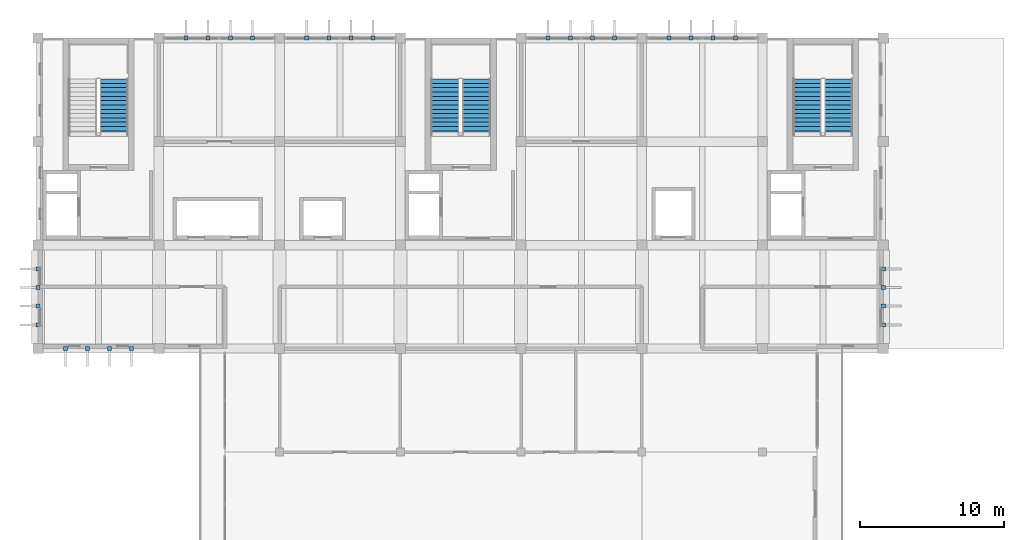
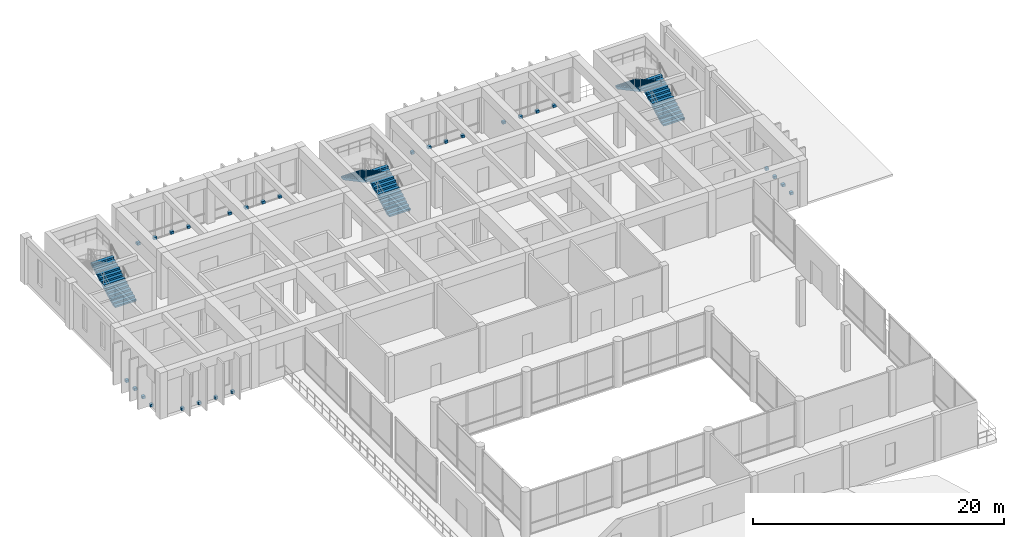
# One storey, part 14 of 17: 28 discrete accessories, 5 stair flights, 3 elements without a shape of their own.
"""IFC4 building model written with IfcOpenShell, lengths in metres."""

from ifc_helpers import new_model, si_unit, direction, frame, origin, origin_2d, place, context, subcontext, project, spatial, polyline, rectangle, outline, extrude, material, type_object, element, aggregate, save


model = new_model("IFC4")

# Units and contexts
model_context = context("Model", 3, precision=1e-05, world=origin(), true_north=direction((0.0, 1.0)))
body_context = subcontext(model_context, "Body", "Model", "MODEL_VIEW")
ifc_project = project(units=[si_unit("LENGTHUNIT", "METRE"), si_unit("AREAUNIT", "SQUARE_METRE"), si_unit("VOLUMEUNIT", "CUBIC_METRE"), si_unit("PLANEANGLEUNIT", "RADIAN"), si_unit("MASSUNIT", "GRAM", prefix="KILO")], contexts=[model_context])

# Site, building, storey
site_placement = place(None, origin())
site = spatial("IfcSite", under=ifc_project, at=site_placement, CompositionType="ELEMENT")
building_placement = place(site_placement, origin())
building = spatial("IfcBuilding", under=site, at=building_placement, Name="Kenerak Square Central Library", CompositionType="ELEMENT")
storey_placement = place(building_placement, frame((0.0, 0.0, 23.360107421875)))
storey = spatial("IfcBuildingStorey", under=building, at=storey_placement, Name="L05", CompositionType="ELEMENT", Elevation=23.360107421875)

# Stair, stair flight
ifc_material_1 = material(Name="Concrete C40/50", Category="concrete")
stair_type = type_object("IfcStairType", Name="Exit Dogleg Stair ST-448 C40/50", PredefinedType="HALF_TURN_STAIR", material=ifc_material_1)
stair_1_placement = place(storey_placement, origin())
stair_1 = element("IfcStair", 1, at=stair_1_placement, inside=storey, type_object=stair_type, Name="L05 Protected Exit Stair ST-01", PredefinedType="HALF_TURN_STAIR")
stair_flight_type = type_object("IfcStairFlightType", Name="Exit Stair Flight FL-14 C40/50", PredefinedType="STRAIGHT", material=ifc_material_1)
stair_flight_1_placement = place(storey_placement, frame((63.68994140625, 103.64990234375, 0.0), z_axis=(0.0, 0.0, 1.0), x_axis=(0.0, 1.0, 0.0)))
stair_flight_1 = element("IfcStairFlight", 2, at=stair_flight_1_placement, type_object=stair_flight_type, Name="ST-01 Flight 1", NumberOfRisers=14, NumberOfTreads=13, PredefinedType="STRAIGHT", RiserHeight=0.16, TreadLength=0.3, context=body_context, shape_type="SweptSolid", body=[
    extrude(outline(polyline([(0.0, 0.0), (0.0, 0.159912109375), (0.300048828125, 0.159912109375), (0.300048828125, 0.320068359375), (0.60009765625, 0.320068359375), (0.60009765625, 0.47998046875), (0.89990234375, 0.47998046875), (0.89990234375, 0.639892578125), (1.199951171875, 0.639892578125), (1.199951171875, 0.800048828125), (1.5, 0.800048828125), (1.5, 0.9599609375), (1.800048828125, 0.9599609375), (1.800048828125, 1.1201171875), (2.10009765625, 1.1201171875), (2.10009765625, 1.280029296875), (2.39990234375, 1.280029296875), (2.39990234375, 1.43994140625), (2.699951171875, 1.43994140625), (2.699951171875, 1.60009765625), (3.0, 1.60009765625), (3.0, 1.760009765625), (3.300048828125, 1.760009765625), (3.300048828125, 1.919921875), (3.60009765625, 1.919921875), (3.60009765625, 2.080078125), (3.89990234375, 2.080078125), (3.89990234375, 2.239990234375), (3.89990234375, 1.8759765625), (0.38232421875, 0.0), (0.0, 0.0)])), frame((0.0, 0.989990234375, 0.0), z_axis=(0.0, -1.0, 0.0), x_axis=(1.0, 0.0, 0.0)), (0.0, 0.0, 1.0), 1.97998046875),
])
aggregate(stair_1, [stair_flight_1])

# Stair, stair flights
stair_2_placement = place(storey_placement, origin())
stair_2 = element("IfcStair", 3, at=stair_2_placement, inside=storey, type_object=stair_type, Name="L05 Protected Exit Stair ST-02", PredefinedType="HALF_TURN_STAIR")
stair_flight_2_placement = place(storey_placement, frame((88.889892578125, 103.64990234375, 0.0), z_axis=(0.0, 0.0, 1.0), x_axis=(0.0, 1.0, 0.0)))
stair_flight_2 = element("IfcStairFlight", 4, at=stair_flight_2_placement, type_object=stair_flight_type, Name="ST-02 Flight 1", NumberOfRisers=14, NumberOfTreads=13, PredefinedType="STRAIGHT", RiserHeight=0.16, TreadLength=0.3, context=body_context, shape_type="SweptSolid", body=[
    extrude(outline(polyline([(0.0, 0.0), (0.0, 0.159912109375), (0.300048828125, 0.159912109375), (0.300048828125, 0.320068359375), (0.60009765625, 0.320068359375), (0.60009765625, 0.47998046875), (0.89990234375, 0.47998046875), (0.89990234375, 0.639892578125), (1.199951171875, 0.639892578125), (1.199951171875, 0.800048828125), (1.5, 0.800048828125), (1.5, 0.9599609375), (1.800048828125, 0.9599609375), (1.800048828125, 1.1201171875), (2.10009765625, 1.1201171875), (2.10009765625, 1.280029296875), (2.39990234375, 1.280029296875), (2.39990234375, 1.43994140625), (2.699951171875, 1.43994140625), (2.699951171875, 1.60009765625), (3.0, 1.60009765625), (3.0, 1.760009765625), (3.300048828125, 1.760009765625), (3.300048828125, 1.919921875), (3.60009765625, 1.919921875), (3.60009765625, 2.080078125), (3.89990234375, 2.080078125), (3.89990234375, 2.239990234375), (3.89990234375, 1.8759765625), (0.38232421875, 0.0), (0.0, 0.0)])), frame((0.0, 0.989990234375, 0.0), z_axis=(0.0, -1.0, 0.0), x_axis=(1.0, 0.0, 0.0)), (0.0, 0.0, 1.0), 1.97998046875),
])
stair_flight_3_placement = place(storey_placement, frame((86.7099609375, 107.550048828125, 2.239990234375), z_axis=(0.0, 0.0, 1.0), x_axis=(0.0, -1.0, 0.0)))
stair_flight_3 = element("IfcStairFlight", 5, at=stair_flight_3_placement, type_object=stair_flight_type, Name="ST-02 Flight 2", NumberOfRisers=14, NumberOfTreads=13, PredefinedType="STRAIGHT", RiserHeight=0.16, TreadLength=0.3, context=body_context, shape_type="SweptSolid", body=[
    extrude(outline(polyline([(0.0, 0.0), (0.0, 0.159912109375), (0.300048828125, 0.159912109375), (0.300048828125, 0.320068359375), (0.60009765625, 0.320068359375), (0.60009765625, 0.47998046875), (0.89990234375, 0.47998046875), (0.89990234375, 0.639892578125), (1.199951171875, 0.639892578125), (1.199951171875, 0.800048828125), (1.5, 0.800048828125), (1.5, 0.9599609375), (1.800048828125, 0.9599609375), (1.800048828125, 1.1201171875), (2.10009765625, 1.1201171875), (2.10009765625, 1.280029296875), (2.39990234375, 1.280029296875), (2.39990234375, 1.43994140625), (2.699951171875, 1.43994140625), (2.699951171875, 1.60009765625), (3.0, 1.60009765625), (3.0, 1.760009765625), (3.300048828125, 1.760009765625), (3.300048828125, 1.919921875), (3.60009765625, 1.919921875), (3.60009765625, 2.080078125), (3.89990234375, 2.080078125), (3.89990234375, 2.239990234375), (3.89990234375, 1.8759765625), (0.38232421875, 0.0), (0.0, 0.0)])), frame((0.0, 0.989990234375, 0.0), z_axis=(0.0, -1.0, 0.0), x_axis=(1.0, 0.0, 0.0)), (0.0, 0.0, 1.0), 1.97998046875),
])
aggregate(stair_2, [stair_flight_2, stair_flight_3])

stair_3_placement = place(storey_placement, origin())
stair_3 = element("IfcStair", 6, at=stair_3_placement, inside=storey, type_object=stair_type, Name="L05 Protected Exit Stair ST-03", PredefinedType="HALF_TURN_STAIR")
stair_flight_4_placement = place(storey_placement, frame((114.090087890625, 103.64990234375, 0.0), z_axis=(0.0, 0.0, 1.0), x_axis=(0.0, 1.0, 0.0)))
stair_flight_4 = element("IfcStairFlight", 7, at=stair_flight_4_placement, type_object=stair_flight_type, Name="ST-03 Flight 1", NumberOfRisers=14, NumberOfTreads=13, PredefinedType="STRAIGHT", RiserHeight=0.16, TreadLength=0.3, context=body_context, shape_type="SweptSolid", body=[
    extrude(outline(polyline([(0.0, 0.0), (0.0, 0.159912109375), (0.300048828125, 0.159912109375), (0.300048828125, 0.320068359375), (0.60009765625, 0.320068359375), (0.60009765625, 0.47998046875), (0.89990234375, 0.47998046875), (0.89990234375, 0.639892578125), (1.199951171875, 0.639892578125), (1.199951171875, 0.800048828125), (1.5, 0.800048828125), (1.5, 0.9599609375), (1.800048828125, 0.9599609375), (1.800048828125, 1.1201171875), (2.10009765625, 1.1201171875), (2.10009765625, 1.280029296875), (2.39990234375, 1.280029296875), (2.39990234375, 1.43994140625), (2.699951171875, 1.43994140625), (2.699951171875, 1.60009765625), (3.0, 1.60009765625), (3.0, 1.760009765625), (3.300048828125, 1.760009765625), (3.300048828125, 1.919921875), (3.60009765625, 1.919921875), (3.60009765625, 2.080078125), (3.89990234375, 2.080078125), (3.89990234375, 2.239990234375), (3.89990234375, 1.8759765625), (0.38232421875, 0.0), (0.0, 0.0)])), frame((0.0, 0.989990234375, 0.0), z_axis=(0.0, -1.0, 0.0), x_axis=(1.0, 0.0, 0.0)), (0.0, 0.0, 1.0), 1.97998046875),
])
stair_flight_5_placement = place(storey_placement, frame((111.909912109375, 107.550048828125, 2.239990234375), z_axis=(0.0, 0.0, 1.0), x_axis=(0.0, -1.0, 0.0)))
stair_flight_5 = element("IfcStairFlight", 8, at=stair_flight_5_placement, type_object=stair_flight_type, Name="ST-03 Flight 2", NumberOfRisers=14, NumberOfTreads=13, PredefinedType="STRAIGHT", RiserHeight=0.16, TreadLength=0.3, context=body_context, shape_type="SweptSolid", body=[
    extrude(outline(polyline([(0.0, 0.0), (0.0, 0.159912109375), (0.300048828125, 0.159912109375), (0.300048828125, 0.320068359375), (0.60009765625, 0.320068359375), (0.60009765625, 0.47998046875), (0.89990234375, 0.47998046875), (0.89990234375, 0.639892578125), (1.199951171875, 0.639892578125), (1.199951171875, 0.800048828125), (1.5, 0.800048828125), (1.5, 0.9599609375), (1.800048828125, 0.9599609375), (1.800048828125, 1.1201171875), (2.10009765625, 1.1201171875), (2.10009765625, 1.280029296875), (2.39990234375, 1.280029296875), (2.39990234375, 1.43994140625), (2.699951171875, 1.43994140625), (2.699951171875, 1.60009765625), (3.0, 1.60009765625), (3.0, 1.760009765625), (3.300048828125, 1.760009765625), (3.300048828125, 1.919921875), (3.60009765625, 1.919921875), (3.60009765625, 2.080078125), (3.89990234375, 2.080078125), (3.89990234375, 2.239990234375), (3.89990234375, 1.8759765625), (0.38232421875, 0.0), (0.0, 0.0)])), frame((0.0, 0.989990234375, 0.0), z_axis=(0.0, -1.0, 0.0), x_axis=(1.0, 0.0, 0.0)), (0.0, 0.0, 1.0), 1.97998046875),
])
aggregate(stair_3, [stair_flight_4, stair_flight_5])

# Discrete accessories
ifc_material_2 = material(Name="Steel S355", Category="steel")
discrete_accessory_type = type_object("IfcDiscreteAccessoryType", Name="Solar Fin Structural Cleat Bracket BRK-S355", PredefinedType="BRACKET", material=ifc_material_2)
for number, where, z_axis, x_axis, name in (
    (9, (64.909912109375, 88.800048828125, 0.0), (0.0, 0.0, 1.0), (-1.0, 0.0, 0.0), "Solar Fin Cleat Bracket BRK-01 L05 0407"),
    (10, (63.3701171875, 88.800048828125, 0.0), (0.0, 0.0, 1.0), (-1.0, 0.0, 0.0), "Solar Fin Cleat Bracket BRK-01 L05 0408"),
    (11, (61.830078125, 88.800048828125, 0.0), (0.0, 0.0, 1.0), (-1.0, 0.0, 0.0), "Solar Fin Cleat Bracket BRK-01 L05 0409"),
    (12, (60.2900390625, 88.800048828125, 0.0), (0.0, 0.0, 1.0), (-1.0, 0.0, 0.0), "Solar Fin Cleat Bracket BRK-01 L05 0410"),
    (13, (58.39990234375, 90.449951171875, 0.0), (0.0, 0.0, 1.0), (0.0, 1.0, 0.0), "Solar Fin Cleat Bracket BRK-01 L05 0411"),
    (14, (58.39990234375, 91.75, 0.0), (0.0, 0.0, 1.0), (0.0, 1.0, 0.0), "Solar Fin Cleat Bracket BRK-01 L05 0412"),
    (15, (58.39990234375, 93.050048828125, 0.0), (0.0, 0.0, 1.0), (0.0, 1.0, 0.0), "Solar Fin Cleat Bracket BRK-01 L05 0413"),
    (16, (58.39990234375, 94.35009765625, 0.0), (0.0, 0.0, 1.0), (0.0, 1.0, 0.0), "Solar Fin Cleat Bracket BRK-01 L05 0414"),
    (17, (68.68994140625, 110.39990234375, 0.0), (0.0, 0.0, 1.0), (1.0, 0.0, 0.0), "Solar Fin Cleat Bracket BRK-01 L05 0415"),
    (18, (70.22998046875, 110.39990234375, 0.0), (0.0, 0.0, 1.0), (1.0, 0.0, 0.0), "Solar Fin Cleat Bracket BRK-01 L05 0416"),
    (19, (71.77001953125, 110.39990234375, 0.0), (0.0, 0.0, 1.0), (1.0, 0.0, 0.0), "Solar Fin Cleat Bracket BRK-01 L05 0417"),
    (20, (73.31005859375, 110.39990234375, 0.0), (0.0, 0.0, 1.0), (1.0, 0.0, 0.0), "Solar Fin Cleat Bracket BRK-01 L05 0418"),
    (21, (77.090087890625, 110.39990234375, 0.0), (0.0, 0.0, 1.0), (1.0, 0.0, 0.0), "Solar Fin Cleat Bracket BRK-01 L05 0419"),
    (22, (78.6298828125, 110.39990234375, 0.0), (0.0, 0.0, 1.0), (1.0, 0.0, 0.0), "Solar Fin Cleat Bracket BRK-01 L05 0420"),
    (23, (80.169921875, 110.39990234375, 0.0), (0.0, 0.0, 1.0), (1.0, 0.0, 0.0), "Solar Fin Cleat Bracket BRK-01 L05 0421"),
    (24, (81.7099609375, 110.39990234375, 0.0), (0.0, 0.0, 1.0), (1.0, 0.0, 0.0), "Solar Fin Cleat Bracket BRK-01 L05 0422"),
    (25, (93.889892578125, 110.39990234375, 0.0), (0.0, 0.0, 1.0), (1.0, 0.0, 0.0), "Solar Fin Cleat Bracket BRK-01 L05 0423"),
    (26, (95.429931640625, 110.39990234375, 0.0), (0.0, 0.0, 1.0), (1.0, 0.0, 0.0), "Solar Fin Cleat Bracket BRK-01 L05 0424"),
    (27, (96.969970703125, 110.39990234375, 0.0), (0.0, 0.0, 1.0), (1.0, 0.0, 0.0), "Solar Fin Cleat Bracket BRK-01 L05 0425"),
    (28, (98.510009765625, 110.39990234375, 0.0), (0.0, 0.0, 1.0), (1.0, 0.0, 0.0), "Solar Fin Cleat Bracket BRK-01 L05 0426"),
    (29, (102.2900390625, 110.39990234375, 0.0), (0.0, 0.0, 1.0), (1.0, 0.0, 0.0), "Solar Fin Cleat Bracket BRK-01 L05 0427"),
    (30, (103.830078125, 110.39990234375, 0.0), (0.0, 0.0, 1.0), (1.0, 0.0, 0.0), "Solar Fin Cleat Bracket BRK-01 L05 0428"),
    (31, (105.3701171875, 110.39990234375, 0.0), (0.0, 0.0, 1.0), (1.0, 0.0, 0.0), "Solar Fin Cleat Bracket BRK-01 L05 0429"),
    (32, (106.909912109375, 110.39990234375, 0.0), (0.0, 0.0, 1.0), (1.0, 0.0, 0.0), "Solar Fin Cleat Bracket BRK-01 L05 0430"),
    (33, (117.199951171875, 94.35009765625, 0.0), (0.0, 0.0, 1.0), (0.0, -1.0, 0.0), "Solar Fin Cleat Bracket BRK-01 L05 0431"),
    (34, (117.199951171875, 93.050048828125, 0.0), (0.0, 0.0, 1.0), (0.0, -1.0, 0.0), "Solar Fin Cleat Bracket BRK-01 L05 0432"),
    (35, (117.199951171875, 91.75, 0.0), (0.0, 0.0, 1.0), (0.0, -1.0, 0.0), "Solar Fin Cleat Bracket BRK-01 L05 0433"),
    (36, (117.199951171875, 90.449951171875, 0.0), (0.0, 0.0, 1.0), (0.0, -1.0, 0.0), "Solar Fin Cleat Bracket BRK-01 L05 0434"),
):
    element("IfcDiscreteAccessory", number, at=place(storey_placement, frame(where, z_axis=z_axis, x_axis=x_axis)), inside=storey, type_object=discrete_accessory_type, Name=name, PredefinedType="BRACKET", context=body_context, shape_type="SweptSolid", body=[
        extrude(rectangle(XDim=0.280029296875, YDim=0.280029296875, at=origin_2d()), origin(), (0.0, 0.0, 1.0), 0.239990234375),
    ])

save(model, "model.ifc")
